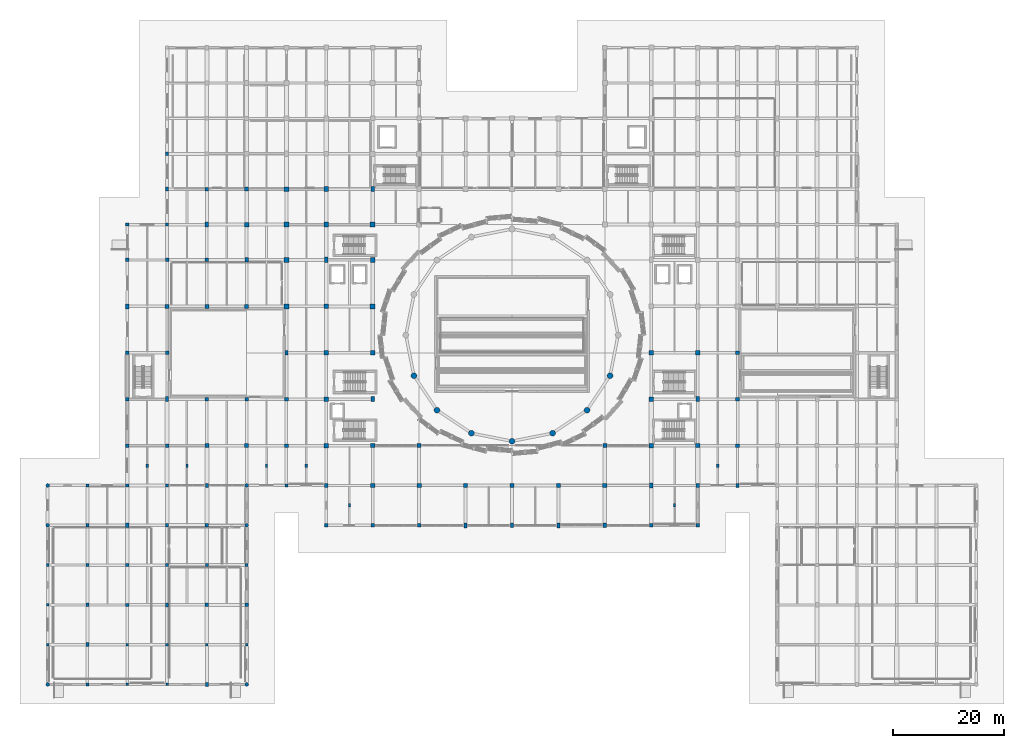
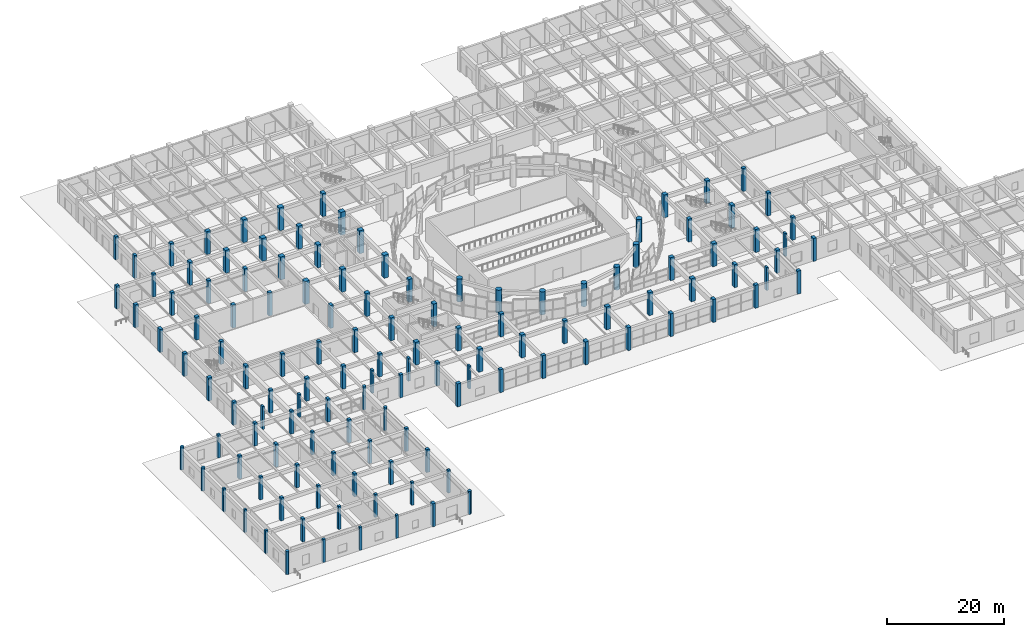
# One storey, part 1 of 72: 128 columns.
"""IFC4 building model written with IfcOpenShell, lengths in metres."""

from ifc_helpers import new_model, si_unit, direction, frame, origin, origin_2d, place, context, subcontext, project, spatial, rectangle, circle, extrude, material, material_profile, profile_set, type_object, element, save


model = new_model("IFC4")

# Units and contexts
model_context = context("Model", 3, precision=1e-05, world=origin(), true_north=direction((0.0, 1.0)))
body_context = subcontext(model_context, "Body", "Model", "MODEL_VIEW")
ifc_project = project(units=[si_unit("LENGTHUNIT", "METRE"), si_unit("AREAUNIT", "SQUARE_METRE"), si_unit("VOLUMEUNIT", "CUBIC_METRE"), si_unit("PLANEANGLEUNIT", "RADIAN"), si_unit("MASSUNIT", "GRAM", prefix="KILO")], contexts=[model_context])

# Site, building, storey
site_placement = place(None, origin())
site = spatial("IfcSite", under=ifc_project, at=site_placement, CompositionType="ELEMENT")
building_placement = place(site_placement, origin())
building = spatial("IfcBuilding", under=site, at=building_placement, Name="Korsvaeld Concert Hall", CompositionType="ELEMENT")
storey_placement = place(building_placement, origin())
storey = spatial("IfcBuildingStorey", under=building, at=storey_placement, Name="L00", CompositionType="ELEMENT", Elevation=0.0)

# Columns
ifc_material = material(Name="Concrete C40/50", Category="concrete")
ifc_material_profile_1 = material_profile(ifc_material, circle(Radius=0.324951171875, at=origin_2d()), Name="RC D650")
ifc_profile_set_1 = profile_set([ifc_material_profile_1], Name="Concrete C40/50")
column_type_1 = type_object("IfcColumnType", Name="COL-COLO-D650", PredefinedType="COLUMN", material=ifc_profile_set_1)
for number, where, z_axis, x_axis, name in (
    (1, (0.0, 0.0, 0.0), (0.0, 0.0, 1.0), (1.0, 0.0, 0.0), "Column 1/A L00"),
    (2, (0.0, 28.800048828125, 0.0), (0.0, 0.0, 1.0), (1.0, 0.0, 0.0), "Column 1/E L00"),
    (3, (0.0, 36.0, 0.0), (0.0, 0.0, 1.0), (1.0, 0.0, 0.0), "Column 1/F L00"),
    (4, (36.0, 0.0, 0.0), (0.0, 0.0, 1.0), (1.0, 0.0, 0.0), "Column 6/A L00"),
    (5, (36.0, 28.800048828125, 0.0), (0.0, 0.0, 1.0), (1.0, 0.0, 0.0), "Column 6/E L00"),
    (6, (36.0, 36.0, 0.0), (0.0, 0.0, 1.0), (1.0, 0.0, 0.0), "Column 6/F L00"),
):
    element("IfcColumn", number, at=place(storey_placement, frame(where, z_axis=z_axis, x_axis=x_axis)), inside=storey, type_object=column_type_1, Name=name, PredefinedType="COLUMN", context=body_context, shape_type="SweptSolid", body=[
        extrude(circle(Radius=0.324951171875, at=origin_2d()), origin(), (0.0, 0.0, 1.0), 4.800048828125),
    ])
ifc_material_profile_2 = material_profile(ifc_material, circle(Radius=0.52490234375, at=origin_2d()), Name="RC D1050")
ifc_profile_set_2 = profile_set([ifc_material_profile_2], Name="Concrete C40/50")
column_type_2 = type_object("IfcColumnType", Name="COL-DRUM-D1050", PredefinedType="COLUMN", material=ifc_profile_set_2)
for number, where, z_axis, x_axis, name in (
    (7, (66.261474609375, 55.8525390625, 0.0), (0.0, 0.0, 1.0), (1.0, 0.0, 0.0), "Drum column D10 L00"),
    (8, (70.423583984375, 49.62353515625, 0.0), (0.0, 0.0, 1.0), (1.0, 0.0, 0.0), "Drum column D11 L00"),
    (9, (76.652587890625, 45.46142578125, 0.0), (0.0, 0.0, 1.0), (1.0, 0.0, 0.0), "Drum column D12 L00"),
    (10, (84.0, 44.0, 0.0), (0.0, 0.0, 1.0), (1.0, 0.0, 0.0), "Drum column D13 L00"),
    (11, (91.347412109375, 45.46142578125, 0.0), (0.0, 0.0, 1.0), (1.0, 0.0, 0.0), "Drum column D14 L00"),
    (12, (97.576416015625, 49.62353515625, 0.0), (0.0, 0.0, 1.0), (1.0, 0.0, 0.0), "Drum column D15 L00"),
    (13, (101.738525390625, 55.8525390625, 0.0), (0.0, 0.0, 1.0), (1.0, 0.0, 0.0), "Drum column D16 L00"),
):
    element("IfcColumn", number, at=place(storey_placement, frame(where, z_axis=z_axis, x_axis=x_axis)), inside=storey, type_object=column_type_2, Name=name, PredefinedType="COLUMN", context=body_context, shape_type="SweptSolid", body=[
        extrude(circle(Radius=0.52490234375, at=origin_2d()), origin(), (0.0, 0.0, 1.0), 4.800048828125),
    ])
ifc_material_profile_3 = material_profile(ifc_material, rectangle(XDim=0.449951171875, YDim=0.449951171875, at=origin_2d()), Name="RC 450x450")
ifc_profile_set_3 = profile_set([ifc_material_profile_3], Name="Concrete C40/50")
column_type_3 = type_object("IfcColumnType", Name="COL-RC-450x450", PredefinedType="COLUMN", material=ifc_profile_set_3)
for number, where, z_axis, x_axis, name in (
    (14, (0.0, 14.39990234375, 0.0), (0.0, 0.0, 1.0), (1.0, 0.0, 0.0), "Column 1/C L00"),
    (15, (14.39990234375, 0.0, 0.0), (0.0, 0.0, 1.0), (1.0, 0.0, 0.0), "Column 3/A L00"),
    (16, (21.60009765625, 0.0, 0.0), (0.0, 0.0, 1.0), (1.0, 0.0, 0.0), "Column 4/A L00"),
    (17, (28.800048828125, 7.199951171875, 0.0), (0.0, 0.0, 1.0), (1.0, 0.0, 0.0), "Column 5/B L00"),
    (18, (36.0, 7.199951171875, 0.0), (0.0, 0.0, 1.0), (1.0, 0.0, 0.0), "Column 6/B L00"),
):
    element("IfcColumn", number, at=place(storey_placement, frame(where, z_axis=z_axis, x_axis=x_axis)), inside=storey, type_object=column_type_3, Name=name, PredefinedType="COLUMN", context=body_context, shape_type="SweptSolid", body=[
        extrude(rectangle(XDim=0.449951171875, YDim=0.449951171875, at=origin_2d()), origin(), (0.0, 0.0, 1.0), 4.800048828125),
    ])
ifc_material_profile_4 = material_profile(ifc_material, rectangle(XDim=0.5, YDim=0.5, at=origin_2d()), Name="RC 500x500")
ifc_profile_set_4 = profile_set([ifc_material_profile_4], Name="Concrete C40/50")
column_type_4 = type_object("IfcColumnType", Name="COL-RC-500x500", PredefinedType="COLUMN", material=ifc_profile_set_4)
for number, where, z_axis, x_axis, name in (
    (19, (0.0, 7.199951171875, 0.0), (0.0, 0.0, 1.0), (1.0, 0.0, 0.0), "Column 1/B L00"),
    (20, (0.0, 21.60009765625, 0.0), (0.0, 0.0, 1.0), (1.0, 0.0, 0.0), "Column 1/D L00"),
    (21, (7.199951171875, 0.0, 0.0), (0.0, 0.0, 1.0), (1.0, 0.0, 0.0), "Column 2/A L00"),
    (22, (14.39990234375, 7.199951171875, 0.0), (0.0, 0.0, 1.0), (1.0, 0.0, 0.0), "Column 3/B L00"),
    (23, (21.60009765625, 7.199951171875, 0.0), (0.0, 0.0, 1.0), (1.0, 0.0, 0.0), "Column 4/B L00"),
):
    element("IfcColumn", number, at=place(storey_placement, frame(where, z_axis=z_axis, x_axis=x_axis)), inside=storey, type_object=column_type_4, Name=name, PredefinedType="COLUMN", context=body_context, shape_type="SweptSolid", body=[
        extrude(rectangle(XDim=0.5, YDim=0.5, at=origin_2d()), origin(), (0.0, 0.0, 1.0), 4.800048828125),
    ])
ifc_material_profile_5 = material_profile(ifc_material, rectangle(XDim=0.5, YDim=0.699951171875, at=origin_2d()), Name="RC 500x700")
ifc_profile_set_5 = profile_set([ifc_material_profile_5], Name="Concrete C40/50")
column_type_5 = type_object("IfcColumnType", Name="COL-RC-500x700", PredefinedType="COLUMN", material=ifc_profile_set_5)
column_1_placement = place(storey_placement, frame((7.199951171875, 7.199951171875, 0.0), z_axis=(0.0, 0.0, 1.0), x_axis=(1.0, 0.0, 0.0)))
element("IfcColumn", 24, at=column_1_placement, inside=storey, type_object=column_type_5, Name="Column 2/B L00", PredefinedType="COLUMN", context=body_context, shape_type="SweptSolid", body=[
    extrude(rectangle(XDim=0.5, YDim=0.699951171875, at=origin_2d()), origin(), (0.0, 0.0, 1.0), 4.800048828125),
])
ifc_material_profile_6 = material_profile(ifc_material, rectangle(XDim=0.550048828125, YDim=0.550048828125, at=origin_2d()), Name="RC 550x550")
ifc_profile_set_6 = profile_set([ifc_material_profile_6], Name="Concrete C40/50")
column_type_6 = type_object("IfcColumnType", Name="COL-RC-550x550", PredefinedType="COLUMN", material=ifc_profile_set_6)
for number, where, z_axis, x_axis, name in (
    (25, (7.199951171875, 21.60009765625, 0.0), (0.0, 0.0, 1.0), (1.0, 0.0, 0.0), "Column 2/D L00"),
    (26, (7.199951171875, 36.0, 0.0), (0.0, 0.0, 1.0), (1.0, 0.0, 0.0), "Column 2/F L00"),
    (27, (14.39990234375, 14.39990234375, 0.0), (0.0, 0.0, 1.0), (1.0, 0.0, 0.0), "Column 3/C L00"),
    (28, (21.60009765625, 28.800048828125, 0.0), (0.0, 0.0, 1.0), (1.0, 0.0, 0.0), "Column 4/E L00"),
    (29, (28.800048828125, 21.60009765625, 0.0), (0.0, 0.0, 1.0), (1.0, 0.0, 0.0), "Column 5/D L00"),
    (30, (36.0, 21.60009765625, 0.0), (0.0, 0.0, 1.0), (1.0, 0.0, 0.0), "Column 6/D L00"),
):
    element("IfcColumn", number, at=place(storey_placement, frame(where, z_axis=z_axis, x_axis=x_axis)), inside=storey, type_object=column_type_6, Name=name, PredefinedType="COLUMN", context=body_context, shape_type="SweptSolid", body=[
        extrude(rectangle(XDim=0.550048828125, YDim=0.550048828125, at=origin_2d()), origin(), (0.0, 0.0, 1.0), 4.800048828125),
    ])
ifc_material_profile_7 = material_profile(ifc_material, rectangle(XDim=0.550048828125, YDim=0.75, at=origin_2d()), Name="RC 550x750")
ifc_profile_set_7 = profile_set([ifc_material_profile_7], Name="Concrete C40/50")
column_type_7 = type_object("IfcColumnType", Name="COL-RC-550x750", PredefinedType="COLUMN", material=ifc_profile_set_7)
for number, where, z_axis, x_axis, name in (
    (31, (14.39990234375, 28.800048828125, 0.0), (0.0, 0.0, 1.0), (1.0, 0.0, 0.0), "Column 3/E L00"),
    (32, (21.60009765625, 14.39990234375, 0.0), (0.0, 0.0, 1.0), (1.0, 0.0, 0.0), "Column 4/C L00"),
    (33, (21.60009765625, 89.60009765625, 0.0), (0.0, 0.0, 1.0), (1.0, 0.0, 0.0), "Column 4/N L00"),
    (34, (28.800048828125, 0.0, 0.0), (0.0, 0.0, 1.0), (1.0, 0.0, 0.0), "Column 5/A L00"),
    (35, (28.800048828125, 36.0, 0.0), (0.0, 0.0, 1.0), (1.0, 0.0, 0.0), "Column 5/F L00"),
):
    element("IfcColumn", number, at=place(storey_placement, frame(where, z_axis=z_axis, x_axis=x_axis)), inside=storey, type_object=column_type_7, Name=name, PredefinedType="COLUMN", context=body_context, shape_type="SweptSolid", body=[
        extrude(rectangle(XDim=0.550048828125, YDim=0.75, at=origin_2d()), origin(), (0.0, 0.0, 1.0), 4.800048828125),
    ])
ifc_material_profile_8 = material_profile(ifc_material, rectangle(XDim=0.60009765625, YDim=0.60009765625, at=origin_2d()), Name="RC 600x600")
ifc_profile_set_8 = profile_set([ifc_material_profile_8], Name="Concrete C40/50")
column_type_8 = type_object("IfcColumnType", Name="COL-RC-600x600", PredefinedType="COLUMN", material=ifc_profile_set_8)
for number, where, z_axis, x_axis, name in (
    (36, (7.199951171875, 14.39990234375, 0.0), (0.0, 0.0, 1.0), (1.0, 0.0, 0.0), "Column 2/C L00"),
    (37, (7.199951171875, 28.800048828125, 0.0), (0.0, 0.0, 1.0), (1.0, 0.0, 0.0), "Column 2/E L00"),
    (38, (14.39990234375, 21.60009765625, 0.0), (0.0, 0.0, 1.0), (1.0, 0.0, 0.0), "Column 3/D L00"),
    (39, (14.39990234375, 36.0, 0.0), (0.0, 0.0, 1.0), (1.0, 0.0, 0.0), "Column 3/F L00"),
    (40, (14.39990234375, 83.199951171875, 0.0), (0.0, 0.0, 1.0), (1.0, 0.0, 0.0), "Column 3/M L00"),
    (41, (21.60009765625, 21.60009765625, 0.0), (0.0, 0.0, 1.0), (1.0, 0.0, 0.0), "Column 4/D L00"),
    (42, (21.60009765625, 36.0, 0.0), (0.0, 0.0, 1.0), (1.0, 0.0, 0.0), "Column 4/F L00"),
    (43, (21.60009765625, 83.199951171875, 0.0), (0.0, 0.0, 1.0), (1.0, 0.0, 0.0), "Column 4/M L00"),
    (44, (21.60009765625, 96.0, 0.0), (0.0, 0.0, 1.0), (1.0, 0.0, 0.0), "Column 4/P L00"),
    (45, (28.800048828125, 14.39990234375, 0.0), (0.0, 0.0, 1.0), (1.0, 0.0, 0.0), "Column 5/C L00"),
    (46, (28.800048828125, 28.800048828125, 0.0), (0.0, 0.0, 1.0), (1.0, 0.0, 0.0), "Column 5/E L00"),
    (47, (36.0, 14.39990234375, 0.0), (0.0, 0.0, 1.0), (1.0, 0.0, 0.0), "Column 6/C L00"),
    (48, (43.199951171875, 36.0, 0.0), (0.0, 0.0, 1.0), (1.0, 0.0, 0.0), "Column 7/F L00"),
):
    element("IfcColumn", number, at=place(storey_placement, frame(where, z_axis=z_axis, x_axis=x_axis)), inside=storey, type_object=column_type_8, Name=name, PredefinedType="COLUMN", context=body_context, shape_type="SweptSolid", body=[
        extrude(rectangle(XDim=0.60009765625, YDim=0.60009765625, at=origin_2d()), origin(), (0.0, 0.0, 1.0), 4.800048828125),
    ])
ifc_material_profile_9 = material_profile(ifc_material, rectangle(XDim=0.60009765625, YDim=0.800048828125, at=origin_2d()), Name="RC 600x800")
ifc_profile_set_9 = profile_set([ifc_material_profile_9], Name="Concrete C40/50")
column_type_9 = type_object("IfcColumnType", Name="COL-RC-600x800", PredefinedType="COLUMN", material=ifc_profile_set_9)
for number, where, z_axis, x_axis, name in (
    (49, (84.0, 28.800048828125, 0.0), (0.0, 0.0, 1.0), (1.0, 0.0, 0.0), "Column 12/E L00"),
    (50, (100.800048828125, 28.800048828125, 0.0), (0.0, 0.0, 1.0), (1.0, 0.0, 0.0), "Column 14/E L00"),
    (51, (124.800048828125, 36.0, 0.0), (0.0, 0.0, 1.0), (1.0, 0.0, 0.0), "Column 17/F L00"),
    (52, (36.0, 76.800048828125, 0.0), (0.0, 0.0, 1.0), (1.0, 0.0, 0.0), "Column 6/L L00"),
    (53, (43.199951171875, 60.0, 0.0), (0.0, 0.0, 1.0), (1.0, 0.0, 0.0), "Column 7/J L00"),
    (54, (50.39990234375, 36.0, 0.0), (0.0, 0.0, 1.0), (1.0, 0.0, 0.0), "Column 8/F L00"),
):
    element("IfcColumn", number, at=place(storey_placement, frame(where, z_axis=z_axis, x_axis=x_axis)), inside=storey, type_object=column_type_9, Name=name, PredefinedType="COLUMN", context=body_context, shape_type="SweptSolid", body=[
        extrude(rectangle(XDim=0.60009765625, YDim=0.800048828125, at=origin_2d()), origin(), (0.0, 0.0, 1.0), 4.800048828125),
    ])
ifc_material_profile_10 = material_profile(ifc_material, rectangle(XDim=0.60009765625, YDim=0.89990234375, at=origin_2d()), Name="RC 600x900")
ifc_profile_set_10 = profile_set([ifc_material_profile_10], Name="Concrete C40/50")
column_type_10 = type_object("IfcColumnType", Name="COL-RC-600x900", PredefinedType="COLUMN", material=ifc_profile_set_10)
for number, where, z_axis, x_axis, name in (
    (55, (75.60009765625, 28.800048828125, 0.0), (0.0, 0.0, 1.0), (1.0, 0.0, 0.0), "Column 11/E L00"),
    (56, (92.39990234375, 28.800048828125, 0.0), (0.0, 0.0, 1.0), (1.0, 0.0, 0.0), "Column 13/E L00"),
    (57, (109.199951171875, 36.0, 0.0), (0.0, 0.0, 1.0), (1.0, 0.0, 0.0), "Column 15/F L00"),
    (58, (14.39990234375, 68.39990234375, 0.0), (0.0, 0.0, 1.0), (1.0, 0.0, 0.0), "Column 3/K L00"),
    (59, (21.60009765625, 51.60009765625, 0.0), (0.0, 0.0, 1.0), (1.0, 0.0, 0.0), "Column 4/H L00"),
    (60, (28.800048828125, 83.199951171875, 0.0), (0.0, 0.0, 1.0), (1.0, 0.0, 0.0), "Column 5/M L00"),
):
    element("IfcColumn", number, at=place(storey_placement, frame(where, z_axis=z_axis, x_axis=x_axis)), inside=storey, type_object=column_type_10, Name=name, PredefinedType="COLUMN", context=body_context, shape_type="SweptSolid", body=[
        extrude(rectangle(XDim=0.60009765625, YDim=0.89990234375, at=origin_2d()), origin(), (0.0, 0.0, 1.0), 4.800048828125),
    ])
ifc_material_profile_11 = material_profile(ifc_material, rectangle(XDim=0.64990234375, YDim=0.64990234375, at=origin_2d()), Name="RC 650x650")
ifc_profile_set_11 = profile_set([ifc_material_profile_11], Name="Concrete C40/50")
column_type_11 = type_object("IfcColumnType", Name="COL-RC-650x650", PredefinedType="COLUMN", material=ifc_profile_set_11)
for number, where, z_axis, x_axis, name in (
    (61, (67.199951171875, 28.800048828125, 0.0), (0.0, 0.0, 1.0), (1.0, 0.0, 0.0), "Column 10/E L00"),
    (62, (117.60009765625, 28.800048828125, 0.0), (0.0, 0.0, 1.0), (1.0, 0.0, 0.0), "Column 16/E L00"),
    (63, (124.800048828125, 43.199951171875, 0.0), (0.0, 0.0, 1.0), (1.0, 0.0, 0.0), "Column 17/G L00"),
    (64, (124.800048828125, 60.0, 0.0), (0.0, 0.0, 1.0), (1.0, 0.0, 0.0), "Column 17/J L00"),
    (65, (14.39990234375, 43.199951171875, 0.0), (0.0, 0.0, 1.0), (1.0, 0.0, 0.0), "Column 3/G L00"),
    (66, (14.39990234375, 60.0, 0.0), (0.0, 0.0, 1.0), (1.0, 0.0, 0.0), "Column 3/J L00"),
    (67, (14.39990234375, 76.800048828125, 0.0), (0.0, 0.0, 1.0), (1.0, 0.0, 0.0), "Column 3/L L00"),
    (68, (21.60009765625, 43.199951171875, 0.0), (0.0, 0.0, 1.0), (1.0, 0.0, 0.0), "Column 4/G L00"),
    (69, (21.60009765625, 60.0, 0.0), (0.0, 0.0, 1.0), (1.0, 0.0, 0.0), "Column 4/J L00"),
    (70, (21.60009765625, 76.800048828125, 0.0), (0.0, 0.0, 1.0), (1.0, 0.0, 0.0), "Column 4/L L00"),
    (71, (28.800048828125, 51.60009765625, 0.0), (0.0, 0.0, 1.0), (1.0, 0.0, 0.0), "Column 5/H L00"),
    (72, (28.800048828125, 76.800048828125, 0.0), (0.0, 0.0, 1.0), (1.0, 0.0, 0.0), "Column 5/L L00"),
    (73, (28.800048828125, 89.60009765625, 0.0), (0.0, 0.0, 1.0), (1.0, 0.0, 0.0), "Column 5/N L00"),
    (74, (36.0, 51.60009765625, 0.0), (0.0, 0.0, 1.0), (1.0, 0.0, 0.0), "Column 6/H L00"),
    (75, (43.199951171875, 43.199951171875, 0.0), (0.0, 0.0, 1.0), (1.0, 0.0, 0.0), "Column 7/G L00"),
    (76, (58.800048828125, 28.800048828125, 0.0), (0.0, 0.0, 1.0), (1.0, 0.0, 0.0), "Column 9/E L00"),
):
    element("IfcColumn", number, at=place(storey_placement, frame(where, z_axis=z_axis, x_axis=x_axis)), inside=storey, type_object=column_type_11, Name=name, PredefinedType="COLUMN", context=body_context, shape_type="SweptSolid", body=[
        extrude(rectangle(XDim=0.64990234375, YDim=0.64990234375, at=origin_2d()), origin(), (0.0, 0.0, 1.0), 4.800048828125),
    ])
ifc_material_profile_12 = material_profile(ifc_material, rectangle(XDim=0.699951171875, YDim=1.0, at=origin_2d()), Name="RC 700x1000")
ifc_profile_set_12 = profile_set([ifc_material_profile_12], Name="Concrete C40/50")
column_type_12 = type_object("IfcColumnType", Name="COL-RC-700x1000", PredefinedType="COLUMN", material=ifc_profile_set_12)
column_2_placement = place(storey_placement, frame((50.39990234375, 76.800048828125, 0.0), z_axis=(0.0, 0.0, 1.0), x_axis=(1.0, 0.0, 0.0)))
element("IfcColumn", 77, at=column_2_placement, inside=storey, type_object=column_type_12, Name="Column 8/L L00", PredefinedType="COLUMN", context=body_context, shape_type="SweptSolid", body=[
    extrude(rectangle(XDim=0.699951171875, YDim=1.0, at=origin_2d()), origin(), (0.0, 0.0, 1.0), 4.800048828125),
])
ifc_material_profile_13 = material_profile(ifc_material, rectangle(XDim=0.699951171875, YDim=0.699951171875, at=origin_2d()), Name="RC 700x700")
ifc_profile_set_13 = profile_set([ifc_material_profile_13], Name="Concrete C40/50")
column_type_13 = type_object("IfcColumnType", Name="COL-RC-700x700", PredefinedType="COLUMN", material=ifc_profile_set_13)
for number, where, z_axis, x_axis, name in (
    (78, (109.199951171875, 28.800048828125, 0.0), (0.0, 0.0, 1.0), (1.0, 0.0, 0.0), "Column 15/E L00"),
    (79, (117.60009765625, 36.0, 0.0), (0.0, 0.0, 1.0), (1.0, 0.0, 0.0), "Column 16/F L00"),
    (80, (124.800048828125, 51.60009765625, 0.0), (0.0, 0.0, 1.0), (1.0, 0.0, 0.0), "Column 17/H L00"),
    (81, (14.39990234375, 51.60009765625, 0.0), (0.0, 0.0, 1.0), (1.0, 0.0, 0.0), "Column 3/H L00"),
    (82, (21.60009765625, 68.39990234375, 0.0), (0.0, 0.0, 1.0), (1.0, 0.0, 0.0), "Column 4/K L00"),
    (83, (28.800048828125, 43.199951171875, 0.0), (0.0, 0.0, 1.0), (1.0, 0.0, 0.0), "Column 5/G L00"),
    (84, (28.800048828125, 68.39990234375, 0.0), (0.0, 0.0, 1.0), (1.0, 0.0, 0.0), "Column 5/K L00"),
    (85, (36.0, 43.199951171875, 0.0), (0.0, 0.0, 1.0), (1.0, 0.0, 0.0), "Column 6/G L00"),
    (86, (36.0, 68.39990234375, 0.0), (0.0, 0.0, 1.0), (1.0, 0.0, 0.0), "Column 6/K L00"),
    (87, (43.199951171875, 51.60009765625, 0.0), (0.0, 0.0, 1.0), (1.0, 0.0, 0.0), "Column 7/H L00"),
    (88, (50.39990234375, 28.800048828125, 0.0), (0.0, 0.0, 1.0), (1.0, 0.0, 0.0), "Column 8/E L00"),
):
    element("IfcColumn", number, at=place(storey_placement, frame(where, z_axis=z_axis, x_axis=x_axis)), inside=storey, type_object=column_type_13, Name=name, PredefinedType="COLUMN", context=body_context, shape_type="SweptSolid", body=[
        extrude(rectangle(XDim=0.699951171875, YDim=0.699951171875, at=origin_2d()), origin(), (0.0, 0.0, 1.0), 4.800048828125),
    ])
ifc_material_profile_14 = material_profile(ifc_material, rectangle(XDim=0.699951171875, YDim=0.89990234375, at=origin_2d()), Name="RC 700x900")
ifc_profile_set_14 = profile_set([ifc_material_profile_14], Name="Concrete C40/50")
column_type_14 = type_object("IfcColumnType", Name="COL-RC-700x900", PredefinedType="COLUMN", material=ifc_profile_set_14)
for number, where, z_axis, x_axis, name in (
    (89, (117.60009765625, 51.60009765625, 0.0), (0.0, 0.0, 1.0), (1.0, 0.0, 0.0), "Column 16/H L00"),
    (90, (58.800048828125, 51.60009765625, 0.0), (0.0, 0.0, 1.0), (1.0, 0.0, 0.0), "Column 9/H L00"),
    (91, (58.800048828125, 89.60009765625, 0.0), (0.0, 0.0, 1.0), (1.0, 0.0, 0.0), "Column 9/N L00"),
):
    element("IfcColumn", number, at=place(storey_placement, frame(where, z_axis=z_axis, x_axis=x_axis)), inside=storey, type_object=column_type_14, Name=name, PredefinedType="COLUMN", context=body_context, shape_type="SweptSolid", body=[
        extrude(rectangle(XDim=0.699951171875, YDim=0.89990234375, at=origin_2d()), origin(), (0.0, 0.0, 1.0), 4.800048828125),
    ])
ifc_material_profile_15 = material_profile(ifc_material, rectangle(XDim=0.75, YDim=0.75, at=origin_2d()), Name="RC 750x750")
ifc_profile_set_15 = profile_set([ifc_material_profile_15], Name="Concrete C40/50")
column_type_15 = type_object("IfcColumnType", Name="COL-RC-750x750", PredefinedType="COLUMN", material=ifc_profile_set_15)
for number, where, z_axis, x_axis, name in (
    (92, (67.199951171875, 43.199951171875, 0.0), (0.0, 0.0, 1.0), (1.0, 0.0, 0.0), "Column 10/G L00"),
    (93, (75.60009765625, 36.0, 0.0), (0.0, 0.0, 1.0), (1.0, 0.0, 0.0), "Column 11/F L00"),
    (94, (92.39990234375, 36.0, 0.0), (0.0, 0.0, 1.0), (1.0, 0.0, 0.0), "Column 13/F L00"),
    (95, (100.800048828125, 43.199951171875, 0.0), (0.0, 0.0, 1.0), (1.0, 0.0, 0.0), "Column 14/G L00"),
    (96, (109.199951171875, 51.60009765625, 0.0), (0.0, 0.0, 1.0), (1.0, 0.0, 0.0), "Column 15/H L00"),
    (97, (117.60009765625, 43.199951171875, 0.0), (0.0, 0.0, 1.0), (1.0, 0.0, 0.0), "Column 16/G L00"),
    (98, (117.60009765625, 60.0, 0.0), (0.0, 0.0, 1.0), (1.0, 0.0, 0.0), "Column 16/J L00"),
    (99, (36.0, 89.60009765625, 0.0), (0.0, 0.0, 1.0), (1.0, 0.0, 0.0), "Column 6/N L00"),
    (100, (50.39990234375, 51.60009765625, 0.0), (0.0, 0.0, 1.0), (1.0, 0.0, 0.0), "Column 8/H L00"),
    (101, (58.800048828125, 43.199951171875, 0.0), (0.0, 0.0, 1.0), (1.0, 0.0, 0.0), "Column 9/G L00"),
    (102, (58.800048828125, 60.0, 0.0), (0.0, 0.0, 1.0), (1.0, 0.0, 0.0), "Column 9/J L00"),
):
    element("IfcColumn", number, at=place(storey_placement, frame(where, z_axis=z_axis, x_axis=x_axis)), inside=storey, type_object=column_type_15, Name=name, PredefinedType="COLUMN", context=body_context, shape_type="SweptSolid", body=[
        extrude(rectangle(XDim=0.75, YDim=0.75, at=origin_2d()), origin(), (0.0, 0.0, 1.0), 4.800048828125),
    ])
ifc_material_profile_16 = material_profile(ifc_material, rectangle(XDim=0.800048828125, YDim=0.800048828125, at=origin_2d()), Name="RC 800x800")
ifc_profile_set_16 = profile_set([ifc_material_profile_16], Name="Concrete C40/50")
column_type_16 = type_object("IfcColumnType", Name="COL-RC-800x800", PredefinedType="COLUMN", material=ifc_profile_set_16)
for number, where, z_axis, x_axis, name in (
    (103, (67.199951171875, 36.0, 0.0), (0.0, 0.0, 1.0), (1.0, 0.0, 0.0), "Column 10/F L00"),
    (104, (84.0, 36.0, 0.0), (0.0, 0.0, 1.0), (1.0, 0.0, 0.0), "Column 12/F L00"),
    (105, (100.800048828125, 36.0, 0.0), (0.0, 0.0, 1.0), (1.0, 0.0, 0.0), "Column 14/F L00"),
    (106, (109.199951171875, 43.199951171875, 0.0), (0.0, 0.0, 1.0), (1.0, 0.0, 0.0), "Column 15/G L00"),
    (107, (109.199951171875, 60.0, 0.0), (0.0, 0.0, 1.0), (1.0, 0.0, 0.0), "Column 15/J L00"),
    (108, (36.0, 83.199951171875, 0.0), (0.0, 0.0, 1.0), (1.0, 0.0, 0.0), "Column 6/M L00"),
    (109, (50.39990234375, 43.199951171875, 0.0), (0.0, 0.0, 1.0), (1.0, 0.0, 0.0), "Column 8/G L00"),
    (110, (50.39990234375, 60.0, 0.0), (0.0, 0.0, 1.0), (1.0, 0.0, 0.0), "Column 8/J L00"),
    (111, (58.800048828125, 36.0, 0.0), (0.0, 0.0, 1.0), (1.0, 0.0, 0.0), "Column 9/F L00"),
):
    element("IfcColumn", number, at=place(storey_placement, frame(where, z_axis=z_axis, x_axis=x_axis)), inside=storey, type_object=column_type_16, Name=name, PredefinedType="COLUMN", context=body_context, shape_type="SweptSolid", body=[
        extrude(rectangle(XDim=0.800048828125, YDim=0.800048828125, at=origin_2d()), origin(), (0.0, 0.0, 1.0), 4.800048828125),
    ])
ifc_material_profile_17 = material_profile(ifc_material, rectangle(XDim=0.85009765625, YDim=0.85009765625, at=origin_2d()), Name="RC 850x850")
ifc_profile_set_17 = profile_set([ifc_material_profile_17], Name="Concrete C40/50")
column_type_17 = type_object("IfcColumnType", Name="COL-RC-850x850", PredefinedType="COLUMN", material=ifc_profile_set_17)
for number, where, z_axis, x_axis, name in (
    (112, (43.199951171875, 76.800048828125, 0.0), (0.0, 0.0, 1.0), (1.0, 0.0, 0.0), "Column 7/L L00"),
    (113, (43.199951171875, 89.60009765625, 0.0), (0.0, 0.0, 1.0), (1.0, 0.0, 0.0), "Column 7/N L00"),
    (114, (50.39990234375, 68.39990234375, 0.0), (0.0, 0.0, 1.0), (1.0, 0.0, 0.0), "Column 8/K L00"),
    (115, (50.39990234375, 83.199951171875, 0.0), (0.0, 0.0, 1.0), (1.0, 0.0, 0.0), "Column 8/M L00"),
    (116, (58.800048828125, 76.800048828125, 0.0), (0.0, 0.0, 1.0), (1.0, 0.0, 0.0), "Column 9/L L00"),
):
    element("IfcColumn", number, at=place(storey_placement, frame(where, z_axis=z_axis, x_axis=x_axis)), inside=storey, type_object=column_type_17, Name=name, PredefinedType="COLUMN", context=body_context, shape_type="SweptSolid", body=[
        extrude(rectangle(XDim=0.85009765625, YDim=0.85009765625, at=origin_2d()), origin(), (0.0, 0.0, 1.0), 4.800048828125),
    ])
ifc_material_profile_18 = material_profile(ifc_material, rectangle(XDim=0.89990234375, YDim=0.89990234375, at=origin_2d()), Name="RC 900x900")
ifc_profile_set_18 = profile_set([ifc_material_profile_18], Name="Concrete C40/50")
column_type_18 = type_object("IfcColumnType", Name="COL-RC-900x900", PredefinedType="COLUMN", material=ifc_profile_set_18)
for number, where, z_axis, x_axis, name in (
    (117, (43.199951171875, 68.39990234375, 0.0), (0.0, 0.0, 1.0), (1.0, 0.0, 0.0), "Column 7/K L00"),
    (118, (43.199951171875, 83.199951171875, 0.0), (0.0, 0.0, 1.0), (1.0, 0.0, 0.0), "Column 7/M L00"),
    (119, (50.39990234375, 89.60009765625, 0.0), (0.0, 0.0, 1.0), (1.0, 0.0, 0.0), "Column 8/N L00"),
    (120, (58.800048828125, 68.39990234375, 0.0), (0.0, 0.0, 1.0), (1.0, 0.0, 0.0), "Column 9/K L00"),
    (121, (58.800048828125, 83.199951171875, 0.0), (0.0, 0.0, 1.0), (1.0, 0.0, 0.0), "Column 9/M L00"),
):
    element("IfcColumn", number, at=place(storey_placement, frame(where, z_axis=z_axis, x_axis=x_axis)), inside=storey, type_object=column_type_18, Name=name, PredefinedType="COLUMN", context=body_context, shape_type="SweptSolid", body=[
        extrude(rectangle(XDim=0.89990234375, YDim=0.89990234375, at=origin_2d()), origin(), (0.0, 0.0, 1.0), 4.800048828125),
    ])
ifc_material_profile_19 = material_profile(ifc_material, rectangle(XDim=0.39990234375, YDim=0.64990234375, at=origin_2d()), Name="RC 400x650")
ifc_profile_set_19 = profile_set([ifc_material_profile_19], Name="Concrete C40/50")
column_type_19 = type_object("IfcColumnType", Name="PIL-RC-400x650", PredefinedType="PILASTER", material=ifc_profile_set_19)
for number, where, z_axis, x_axis, name in (
    (122, (39.60009765625, 39.60009765625, 0.0), (0.0, 0.0, 1.0), (1.0, 0.0, 0.0), "Colonnade pilaster PL-01 L00"),
    (123, (46.800048828125, 39.60009765625, 0.0), (0.0, 0.0, 1.0), (1.0, 0.0, 0.0), "Colonnade pilaster PL-02 L00"),
    (124, (54.60009765625, 32.39990234375, 0.0), (0.0, 0.0, 1.0), (1.0, 0.0, 0.0), "Colonnade pilaster PL-03 L00"),
    (125, (113.39990234375, 32.39990234375, 0.0), (0.0, 0.0, 1.0), (1.0, 0.0, 0.0), "Colonnade pilaster PL-04 L00"),
    (126, (121.199951171875, 39.60009765625, 0.0), (0.0, 0.0, 1.0), (1.0, 0.0, 0.0), "Colonnade pilaster PL-05 L00"),
    (127, (18.0, 39.60009765625, 0.0), (0.0, 0.0, 1.0), (1.0, 0.0, 0.0), "Colonnade pilaster PL-07 L00"),
    (128, (25.199951171875, 39.60009765625, 0.0), (0.0, 0.0, 1.0), (1.0, 0.0, 0.0), "Colonnade pilaster PL-08 L00"),
):
    element("IfcColumn", number, at=place(storey_placement, frame(where, z_axis=z_axis, x_axis=x_axis)), inside=storey, type_object=column_type_19, Name=name, PredefinedType="PILASTER", context=body_context, shape_type="SweptSolid", body=[
        extrude(rectangle(XDim=0.39990234375, YDim=0.64990234375, at=origin_2d()), origin(), (0.0, 0.0, 1.0), 4.800048828125),
    ])

save(model, "model.ifc")
